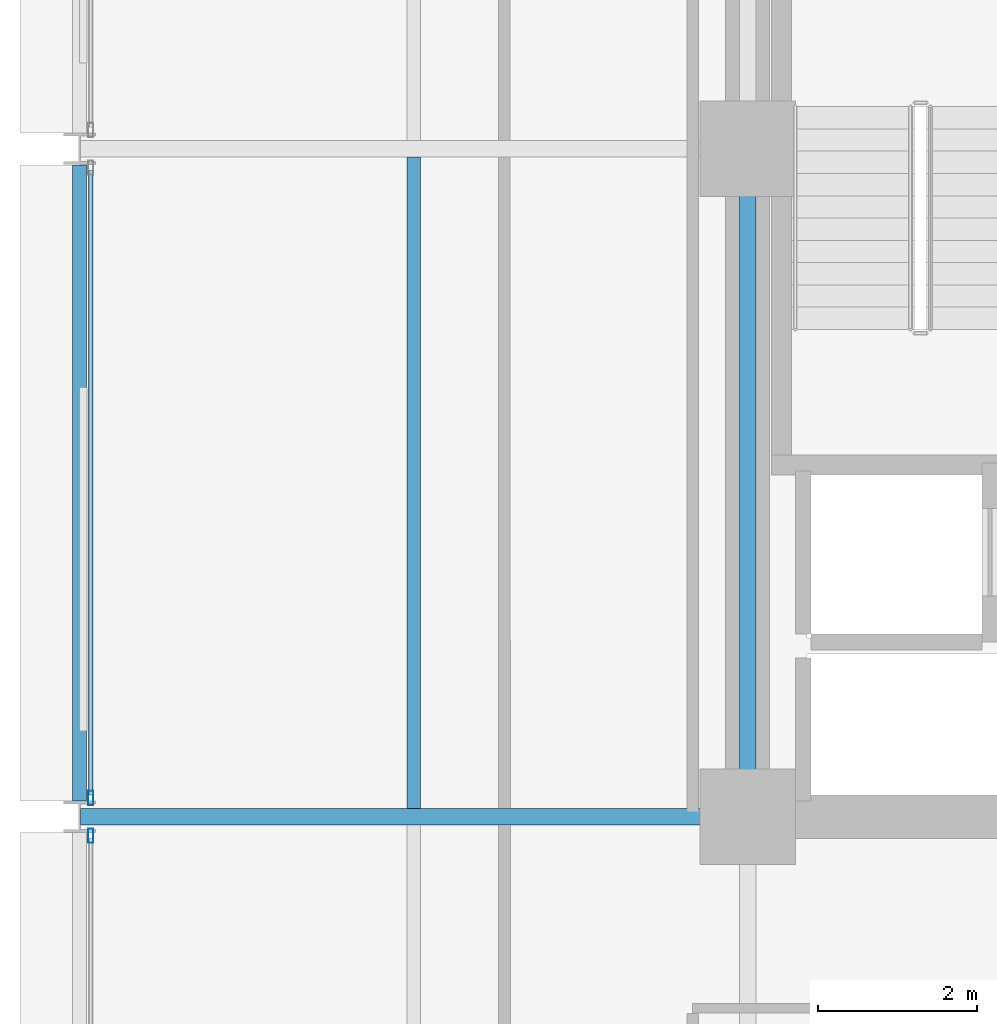
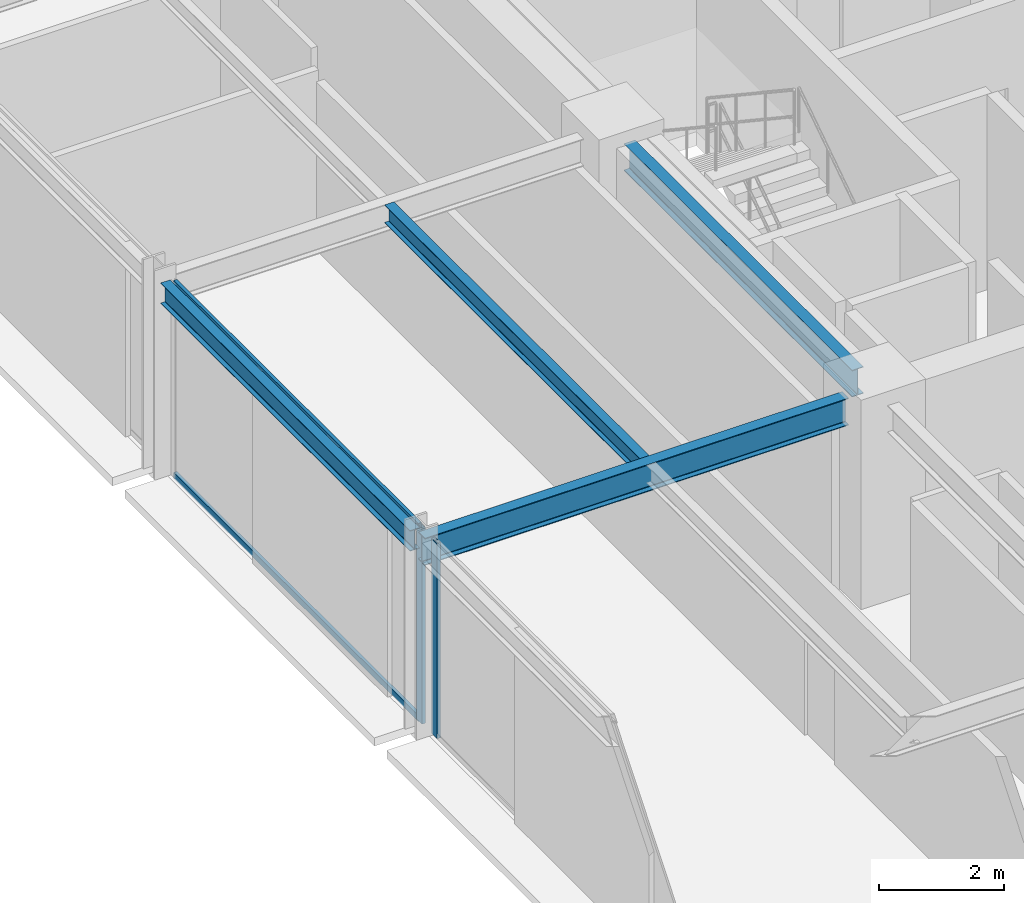
# One storey, part 10 of 30: 4 beams, 4 members, 2 elements without a shape of their own.
"""IFC4 building model written with IfcOpenShell, lengths in metres."""

from ifc_helpers import new_model, si_unit, direction, frame, origin, origin_2d, place, context, subcontext, project, spatial, hollow_rectangle, i_section, extrude, material, layer, layer_set, material_profile, profile_set, type_object, element, aggregate, save


model = new_model("IFC4")

# Units and contexts
model_context = context("Model", 3, precision=1e-05, world=origin(), true_north=direction((0.0, 1.0)))
body_context = subcontext(model_context, "Body", "Model", "MODEL_VIEW")
ifc_project = project(units=[si_unit("LENGTHUNIT", "METRE"), si_unit("AREAUNIT", "SQUARE_METRE"), si_unit("VOLUMEUNIT", "CUBIC_METRE"), si_unit("PLANEANGLEUNIT", "RADIAN"), si_unit("MASSUNIT", "GRAM", prefix="KILO")], contexts=[model_context])

# Site, building, storey
site_placement = place(None, origin())
site = spatial("IfcSite", under=ifc_project, at=site_placement, CompositionType="ELEMENT")
building_placement = place(site_placement, origin())
building = spatial("IfcBuilding", under=site, at=building_placement, Name="Nerrivon Quay Data Exchange", CompositionType="ELEMENT")
storey_placement = place(building_placement, frame((0.0, 0.0, 154.10009765625)))
storey = spatial("IfcBuildingStorey", under=building, at=storey_placement, Name="L36", CompositionType="ELEMENT", Elevation=154.10009765625)

# Beams
ifc_material_1 = material(Name="Steel Grade 350", Category="steel")
ifc_material_profile_1 = material_profile(ifc_material_1, i_section(OverallWidth=0.208984375, OverallDepth=0.532958984375, WebThickness=0.01025390625, FlangeThickness=0.015625, FilletRadius=0.013916015625, at=origin_2d()), Name="530UB92.4")
ifc_profile_set_1 = profile_set([ifc_material_profile_1], Name="Steel Grade 350")
beam_type_1 = type_object("IfcBeamType", Name="BM-G3-530UB92", PredefinedType="BEAM", material=ifc_profile_set_1)
beam_1_placement = place(storey_placement, frame((0.012451171875, 25.199951171875, 3.558349609375), z_axis=(1.0, 0.0, 0.0), x_axis=(0.0, 1.0, 0.0)))
element("IfcBeam", 1, at=beam_1_placement, inside=storey, type_object=beam_type_1, Name="L36 EW Girder Y=25.2 (0.0..8.4)", PredefinedType="BEAM", context=body_context, shape_type="SweptSolid", body=[
    extrude(i_section(OverallWidth=0.208984375, OverallDepth=0.532958984375, WebThickness=0.01025390625, FlangeThickness=0.015625, FilletRadius=0.013916015625, at=origin_2d()), origin(), (0.0, 0.0, 1.0), 7.84765625),
])
ifc_material_profile_2 = material_profile(ifc_material_1, i_section(OverallWidth=0.208984375, OverallDepth=0.528076171875, WebThickness=0.009521484375, FlangeThickness=0.01318359375, FilletRadius=0.013916015625, at=origin_2d()), Name="530UB82.0")
ifc_profile_set_2 = profile_set([ifc_material_profile_2], Name="Steel Grade 350")
beam_type_2 = type_object("IfcBeamType", Name="BM-G4-530UB82", PredefinedType="BEAM", material=ifc_profile_set_2)
beam_2_placement = place(storey_placement, frame((8.39990234375, 25.739990234375, 3.560791015625), z_axis=(0.0, 1.0, 0.0), x_axis=(-1.0, 0.0, 0.0)))
element("IfcBeam", 2, at=beam_2_placement, inside=storey, type_object=beam_type_2, Name="L36 NS Girder X=8.4 (25.2..33.6)", PredefinedType="BEAM", context=body_context, shape_type="SweptSolid", body=[
    extrude(i_section(OverallWidth=0.208984375, OverallDepth=0.528076171875, WebThickness=0.009521484375, FlangeThickness=0.01318359375, FilletRadius=0.013916015625, at=origin_2d()), origin(), (0.0, 0.0, 1.0), 7.320068359375),
])
ifc_material_profile_3 = material_profile(ifc_material_1, i_section(OverallWidth=0.1708984375, OverallDepth=0.35595703125, WebThickness=0.00732421875, FlangeThickness=0.011474609375, FilletRadius=0.011474609375, at=origin_2d()), Name="360UB50.7")
ifc_profile_set_3 = profile_set([ifc_material_profile_3], Name="Steel Grade 350")
beam_type_3 = type_object("IfcBeamType", Name="BM-J4-360UB51", PredefinedType="JOIST", material=ifc_profile_set_3)
beam_3_placement = place(storey_placement, frame((4.199951171875, 25.304443359375, 3.64697265625), z_axis=(0.0, 1.0, 0.0), x_axis=(-1.0, 0.0, 0.0)))
element("IfcBeam", 3, at=beam_3_placement, inside=storey, type_object=beam_type_3, Name="L36 Secondary Joist X=4.2 (25.2..33.6)", PredefinedType="JOIST", context=body_context, shape_type="SweptSolid", body=[
    extrude(i_section(OverallWidth=0.1708984375, OverallDepth=0.35595703125, WebThickness=0.00732421875, FlangeThickness=0.011474609375, FilletRadius=0.011474609375, at=origin_2d()), origin(), (0.0, 0.0, 1.0), 8.191162109375),
])
ifc_material_profile_4 = material_profile(ifc_material_1, i_section(OverallWidth=0.177978515625, OverallDepth=0.403076171875, WebThickness=0.007568359375, FlangeThickness=0.010986328125, FilletRadius=0.011474609375, at=origin_2d()), Name="410UB53.7")
ifc_profile_set_4 = profile_set([ifc_material_profile_4], Name="Steel Grade 350")
beam_type_4 = type_object("IfcBeamType", Name="BM-SP2-410UB54", PredefinedType="SPANDREL", material=ifc_profile_set_4)
beam_4_placement = place(storey_placement, frame((0.0, 25.39990234375, 3.623291015625), z_axis=(0.0, 1.0, 0.0), x_axis=(-1.0, 0.0, 0.0)))
element("IfcBeam", 4, at=beam_4_placement, inside=storey, type_object=beam_type_4, Name="L36 NS Girder X=0.0 (25.2..33.6)", PredefinedType="SPANDREL", context=body_context, shape_type="SweptSolid", body=[
    extrude(i_section(OverallWidth=0.177978515625, OverallDepth=0.403076171875, WebThickness=0.007568359375, FlangeThickness=0.010986328125, FilletRadius=0.011474609375, at=origin_2d()), origin(), (0.0, 0.0, 1.0), 8.0),
])

# Curtain wall, member
ifc_material_2 = material(Name="Anodised aluminium 6063-T6", Category="aluminium")
ifc_layer = layer(ifc_material_2, 0.2099609375)
ifc_layer_set = layer_set([ifc_layer], Name="Anodised aluminium 6063-T6")
curtain_wall_type = type_object("IfcCurtainWallType", Name="CW-SYS-02", PredefinedType="NOTDEFINED", material=ifc_layer_set)
curtain_wall_1_placement = place(storey_placement, origin())
curtain_wall_1 = element("IfcCurtainWall", 5, at=curtain_wall_1_placement, inside=storey, type_object=curtain_wall_type, Name="L36 Unitised Curtain Wall 13", PredefinedType="NOTDEFINED")
ifc_material_profile_5 = material_profile(ifc_material_2, hollow_rectangle(XDim=0.06494140625, YDim=0.179931640625, WallThickness=0.00341796875, at=origin_2d()), Name="ALU-MULL-180x65")
ifc_profile_set_5 = profile_set([ifc_material_profile_5], Name="Anodised aluminium 6063-T6")
member_type_1 = type_object("IfcMemberType", Name="CWM-180x65", PredefinedType="MULLION", material=ifc_profile_set_5)
member_1_placement = place(storey_placement, frame((0.139892578125, 24.96240234375, 0.0), z_axis=(0.0, 0.0, 1.0), x_axis=(-1.0, 0.0, 0.0)))
member_1 = element("IfcMember", 6, at=member_1_placement, type_object=member_type_1, Name="CW02 mullion 2", PredefinedType="MULLION", context=body_context, shape_type="SweptSolid", body=[
    extrude(hollow_rectangle(XDim=0.06494140625, YDim=0.179931640625, WallThickness=0.00341796875, at=origin_2d()), origin(), (0.0, 0.0, 1.0), 3.824951171875),
])
aggregate(curtain_wall_1, [member_1])

# Curtain wall, members
curtain_wall_2_placement = place(storey_placement, origin())
curtain_wall_2 = element("IfcCurtainWall", 7, at=curtain_wall_2_placement, inside=storey, type_object=curtain_wall_type, Name="L36 Unitised Curtain Wall 14", PredefinedType="NOTDEFINED")
member_2_placement = place(storey_placement, frame((0.139892578125, 25.4375, 0.0), z_axis=(0.0, 0.0, 1.0), x_axis=(-1.0, 0.0, 0.0)))
member_2 = element("IfcMember", 8, at=member_2_placement, type_object=member_type_1, Name="CW02 mullion 1", PredefinedType="MULLION", context=body_context, shape_type="SweptSolid", body=[
    extrude(hollow_rectangle(XDim=0.06494140625, YDim=0.179931640625, WallThickness=0.00341796875, at=origin_2d()), origin(), (0.0, 0.0, 1.0), 3.824951171875),
])
ifc_material_profile_6 = material_profile(ifc_material_2, hollow_rectangle(XDim=0.06005859375, YDim=0.1201171875, WallThickness=0.003173828125, at=origin_2d()), Name="ALU-TRAN-120x60")
ifc_profile_set_6 = profile_set([ifc_material_profile_6], Name="Anodised aluminium 6063-T6")
member_type_2 = type_object("IfcMemberType", Name="CWT-120x60", PredefinedType="USERDEFINED", material=ifc_profile_set_6)
member_3_placement = place(storey_placement, frame((0.139892578125, 25.47509765625, 0.032470703125), z_axis=(0.0, 1.0, 0.0), x_axis=(-1.0, 0.0, 0.0)))
member_3 = element("IfcMember", 9, at=member_3_placement, type_object=member_type_2, Name="CW02 transom 1.1", ObjectType="TRANSOM", PredefinedType="USERDEFINED", context=body_context, shape_type="SweptSolid", body=[
    extrude(hollow_rectangle(XDim=0.06005859375, YDim=0.1201171875, WallThickness=0.003173828125, at=origin_2d()), origin(), (0.0, 0.0, 1.0), 7.849853515625),
])
member_4_placement = place(storey_placement, frame((0.139892578125, 25.47509765625, 3.79248046875), z_axis=(0.0, 1.0, 0.0), x_axis=(-1.0, 0.0, 0.0)))
member_4 = element("IfcMember", 10, at=member_4_placement, type_object=member_type_2, Name="CW02 transom 1.2", ObjectType="TRANSOM", PredefinedType="USERDEFINED", context=body_context, shape_type="SweptSolid", body=[
    extrude(hollow_rectangle(XDim=0.06005859375, YDim=0.1201171875, WallThickness=0.003173828125, at=origin_2d()), origin(), (0.0, 0.0, 1.0), 7.849853515625),
])
aggregate(curtain_wall_2, [member_2, member_3, member_4])

save(model, "model.ifc")
